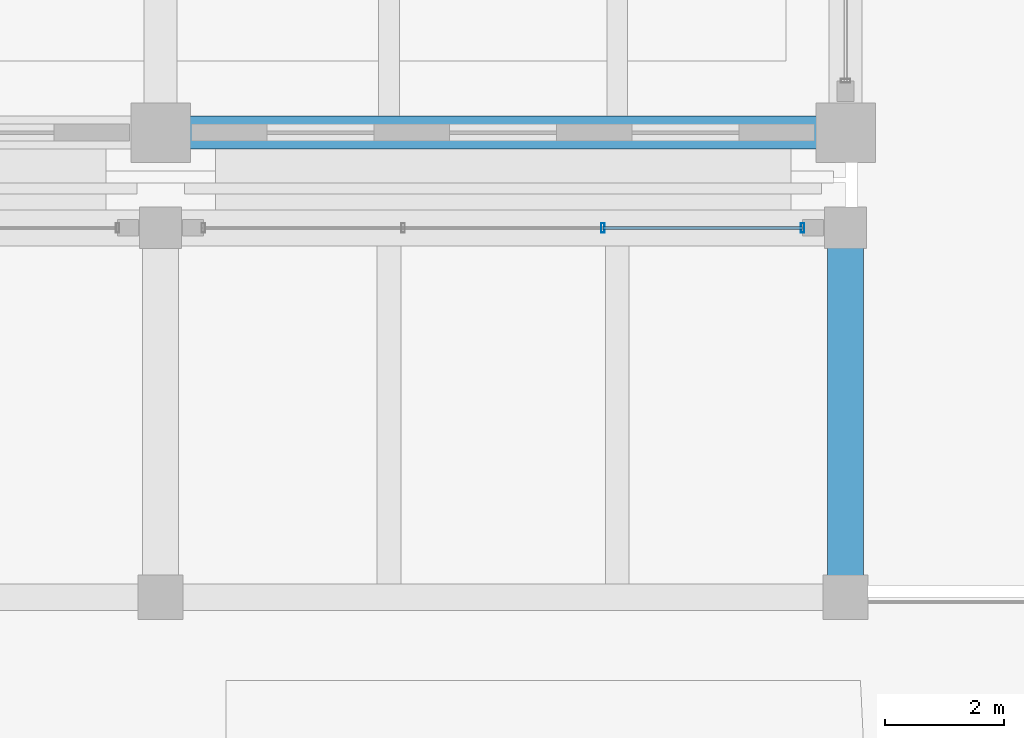
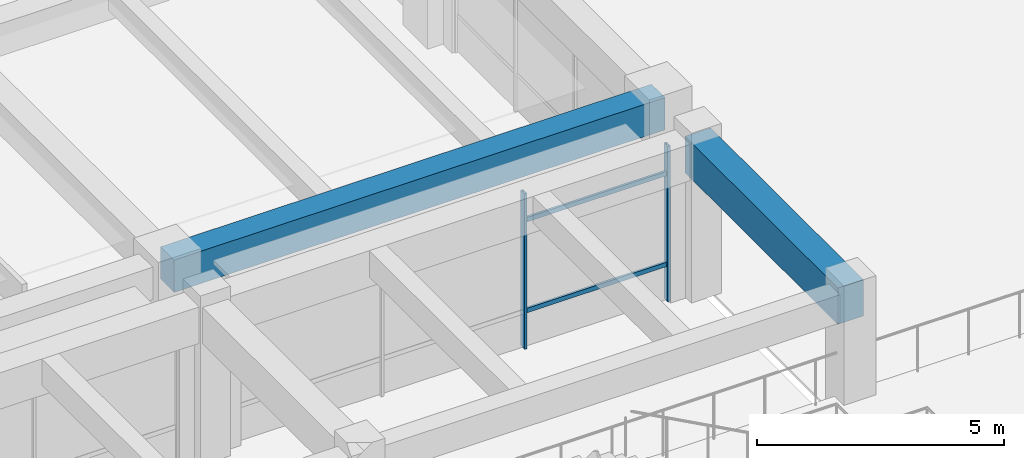
# One storey, part 37 of 109: 4 members, 2 beams, 1 element without a shape of its own.
"""IFC4 building model written with IfcOpenShell, lengths in metres."""

from ifc_helpers import new_model, si_unit, direction, frame, origin, origin_2d, place, context, subcontext, project, spatial, rectangle, hollow_rectangle, extrude, material, material_profile, profile_set, type_object, element, aggregate, save


model = new_model("IFC4")

# Units and contexts
model_context = context("Model", 3, precision=1e-05, world=origin(), true_north=direction((0.0, 1.0)))
body_context = subcontext(model_context, "Body", "Model", "MODEL_VIEW")
ifc_project = project(units=[si_unit("LENGTHUNIT", "METRE"), si_unit("AREAUNIT", "SQUARE_METRE"), si_unit("VOLUMEUNIT", "CUBIC_METRE"), si_unit("PLANEANGLEUNIT", "RADIAN"), si_unit("MASSUNIT", "GRAM", prefix="KILO")], contexts=[model_context])

# Site, building, storey
site_placement = place(None, origin())
site = spatial("IfcSite", under=ifc_project, at=site_placement, CompositionType="ELEMENT")
building_placement = place(site_placement, origin())
building = spatial("IfcBuilding", under=site, at=building_placement, Name="Ologun Quay Terminus", CompositionType="ELEMENT")
storey_placement = place(building_placement, origin())
storey = spatial("IfcBuildingStorey", under=building, at=storey_placement, Name="L00", CompositionType="ELEMENT", Elevation=0.0)

# Curtain wall, members
ifc_material_1 = material(Name="Aluminium 6063-T6", Category="aluminium")
curtain_wall_type = type_object("IfcCurtainWallType", Name="Ticket Hall Grand Portal Curtain Wall 10700x7700", PredefinedType="USERDEFINED", material=ifc_material_1)
curtain_wall_placement = place(storey_placement, origin())
curtain_wall = element("IfcCurtainWall", 1, at=curtain_wall_placement, inside=storey, type_object=curtain_wall_type, Name="CW-01 Curtain Wall CW-L00-085", ObjectType="UNITISED CURTAIN WALL", PredefinedType="USERDEFINED")
ifc_material_2 = material(Name="Aluminium 6063-T6", Category="aluminium")
ifc_material_profile_1 = material_profile(ifc_material_2, hollow_rectangle(XDim=0.06005859375, YDim=0.159912109375, WallThickness=0.00390625, at=origin_2d()), Name="ALU 160x60x4")
ifc_profile_set_1 = profile_set([ifc_material_profile_1], Name="Aluminium 6063-T6")
member_type_1 = type_object("IfcMemberType", Name="Courtyard Screen Mullion 160x65", PredefinedType="MULLION", material=ifc_profile_set_1)
member_1_placement = place(storey_placement, frame((64.9267578125, 84.199951171875, 0.0), z_axis=(0.0, 0.0, 1.0), x_axis=(1.0, 0.0, 0.0)))
member_1 = element("IfcMember", 2, at=member_1_placement, type_object=member_type_1, Name="CW-L00-085 Mullion 3", PredefinedType="MULLION", context=body_context, shape_type="SweptSolid", body=[
    extrude(hollow_rectangle(XDim=0.06005859375, YDim=0.159912109375, WallThickness=0.00390625, at=origin_2d()), origin(), (0.0, 0.0, 1.0), 3.85009765625),
])
member_2_placement = place(storey_placement, frame((68.280029296875, 84.199951171875, 0.0), z_axis=(0.0, 0.0, 1.0), x_axis=(1.0, 0.0, 0.0)))
member_2 = element("IfcMember", 3, at=member_2_placement, type_object=member_type_1, Name="CW-L00-085 Mullion 4", PredefinedType="MULLION", context=body_context, shape_type="SweptSolid", body=[
    extrude(hollow_rectangle(XDim=0.06005859375, YDim=0.159912109375, WallThickness=0.00390625, at=origin_2d()), origin(), (0.0, 0.0, 1.0), 3.85009765625),
])
ifc_material_3 = material(Name="Aluminium 6063-T6", Category="aluminium")
ifc_material_profile_2 = material_profile(ifc_material_3, hollow_rectangle(XDim=0.054931640625, YDim=0.110107421875, WallThickness=0.00390625, at=origin_2d()), Name="ALU 110x55x4")
ifc_profile_set_2 = profile_set([ifc_material_profile_2], Name="Aluminium 6063-T6")
member_type_2 = type_object("IfcMemberType", Name="Courtyard Screen Transom 110x55", PredefinedType="USERDEFINED", material=ifc_profile_set_2)
member_3_placement = place(storey_placement, frame((64.9267578125, 84.199951171875, 0.89990234375), z_axis=(1.0, 0.0, 0.0), x_axis=(0.0, 1.0, 0.0)))
member_3 = element("IfcMember", 4, at=member_3_placement, type_object=member_type_2, Name="CW-L00-085 Transom B3-1", ObjectType="TRANSOM", PredefinedType="USERDEFINED", context=body_context, shape_type="SweptSolid", body=[
    extrude(hollow_rectangle(XDim=0.054931640625, YDim=0.110107421875, WallThickness=0.00390625, at=origin_2d()), origin(), (0.0, 0.0, 1.0), 3.353271484375),
])
member_4_placement = place(storey_placement, frame((64.9267578125, 84.199951171875, 3.14990234375), z_axis=(1.0, 0.0, 0.0), x_axis=(0.0, 1.0, 0.0)))
member_4 = element("IfcMember", 5, at=member_4_placement, type_object=member_type_2, Name="CW-L00-085 Transom B3-2", ObjectType="TRANSOM", PredefinedType="USERDEFINED", context=body_context, shape_type="SweptSolid", body=[
    extrude(hollow_rectangle(XDim=0.054931640625, YDim=0.110107421875, WallThickness=0.00390625, at=origin_2d()), origin(), (0.0, 0.0, 1.0), 3.353271484375),
])
aggregate(curtain_wall, [member_1, member_2, member_3, member_4])

# Beams
ifc_material_4 = material(Name="Concrete C40/50", Category="concrete")
ifc_material_profile_3 = material_profile(ifc_material_4, rectangle(XDim=0.550048828125, YDim=0.800048828125, at=origin_2d()), Name="RC 550x800")
ifc_profile_set_3 = profile_set([ifc_material_profile_3], Name="Concrete C40/50")
beam_type_1 = type_object("IfcBeamType", Name="Courtyard Wing Primary Girder 550x800", PredefinedType="BEAM", material=ifc_profile_set_3)
beam_1_placement = place(storey_placement, frame((57.5, 85.800048828125, 3.550048828125), z_axis=(1.0, 0.0, 0.0), x_axis=(0.0, 1.0, 0.0)))
element("IfcBeam", 6, at=beam_1_placement, inside=storey, type_object=beam_type_1, Name="B4 Beam 6/G2 L00", PredefinedType="BEAM", context=body_context, shape_type="SweptSolid", body=[
    extrude(rectangle(XDim=0.550048828125, YDim=0.800048828125, at=origin_2d()), origin(), (0.0, 0.0, 1.0), 11.5),
])
ifc_material_5 = material(Name="Concrete C40/50", Category="concrete")
ifc_material_profile_4 = material_profile(ifc_material_5, rectangle(XDim=0.60009765625, YDim=0.89990234375, at=origin_2d()), Name="RC 600x900")
ifc_profile_set_4 = profile_set([ifc_material_profile_4], Name="Concrete C40/50")
beam_type_2 = type_object("IfcBeamType", Name="Station Frame Girder 600x900", PredefinedType="BEAM", material=ifc_profile_set_4)
beam_2_placement = place(storey_placement, frame((69.0, 78.0, 3.449951171875), z_axis=(0.0, 1.0, 0.0), x_axis=(-1.0, 0.0, 0.0)))
element("IfcBeam", 7, at=beam_2_placement, inside=storey, type_object=beam_type_2, Name="B3 Beam 7/F L00", PredefinedType="BEAM", context=body_context, shape_type="SweptSolid", body=[
    extrude(rectangle(XDim=0.60009765625, YDim=0.89990234375, at=origin_2d()), origin(), (0.0, 0.0, 1.0), 6.199951171875),
])

save(model, "model.ifc")
